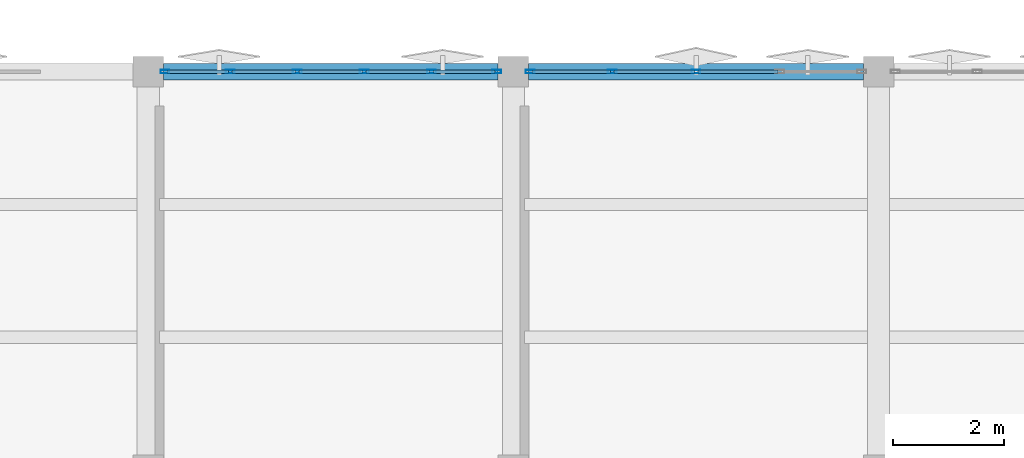
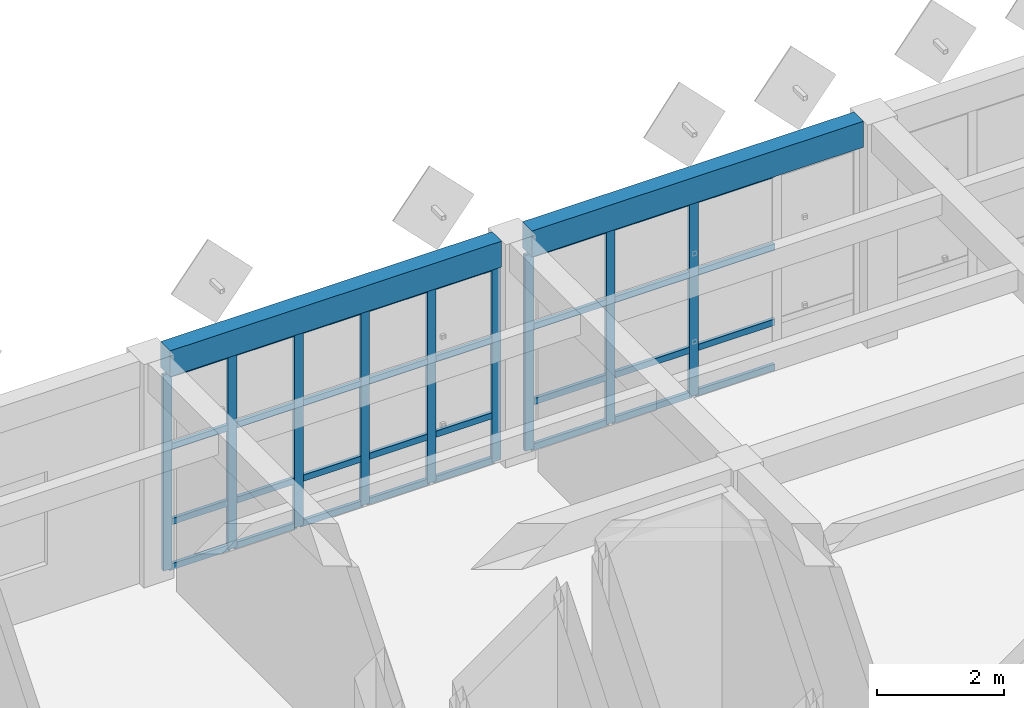
# One storey, part 12 of 29: 41 members, 2 beams, 2 elements without a shape of their own.
"""IFC4 building model written with IfcOpenShell, lengths in metres."""

from ifc_helpers import new_model, si_unit, direction, frame, origin, origin_2d, place, context, subcontext, project, spatial, rectangle, hollow_rectangle, extrude, material, layer, layer_set, material_profile, profile_set, type_object, element, aggregate, save


model = new_model("IFC4")

# Units and contexts
model_context = context("Model", 3, precision=1e-05, world=origin(), true_north=direction((0.0, 1.0)))
body_context = subcontext(model_context, "Body", "Model", "MODEL_VIEW")
ifc_project = project(units=[si_unit("LENGTHUNIT", "METRE"), si_unit("AREAUNIT", "SQUARE_METRE"), si_unit("VOLUMEUNIT", "CUBIC_METRE"), si_unit("PLANEANGLEUNIT", "RADIAN"), si_unit("MASSUNIT", "GRAM", prefix="KILO")], contexts=[model_context])

# Site, building, storey
site_placement = place(None, origin())
site = spatial("IfcSite", under=ifc_project, at=site_placement, CompositionType="ELEMENT")
building_placement = place(site_placement, origin())
building = spatial("IfcBuilding", under=site, at=building_placement, Name="Kharisveld Research Institute", CompositionType="ELEMENT")
storey_placement = place(building_placement, frame((0.0, 0.0, 32.10009765625)))
storey = spatial("IfcBuildingStorey", under=building, at=storey_placement, Name="L07", CompositionType="ELEMENT", Elevation=32.10009765625)

# Curtain wall, members
ifc_material_1 = material(Name="Thermally Broken Aluminium Curtain Wall", Category="aluminium")
ifc_layer_1 = layer(ifc_material_1, 0.159912109375)
ifc_layer_set_1 = layer_set([ifc_layer_1], Name="CW_SYS_01")
curtain_wall_type_1 = type_object("IfcCurtainWallType", Name="CW_SYS_01", PredefinedType="NOTDEFINED", material=ifc_layer_set_1)
curtain_wall_1_placement = place(storey_placement, origin())
curtain_wall_1 = element("IfcCurtainWall", 1, at=curtain_wall_1_placement, inside=storey, type_object=curtain_wall_type_1, Name="CW:V2:L07:N3", PredefinedType="NOTDEFINED")
ifc_material_2 = material(Name="Anodised Aluminium AW-6063-T6", Category="aluminium")
ifc_material_profile_1 = material_profile(ifc_material_2, hollow_rectangle(XDim=0.06494140625, YDim=0.159912109375, WallThickness=0.00390625, at=origin_2d()))
ifc_profile_set_1 = profile_set([ifc_material_profile_1], Name="Anodised Aluminium AW-6063-T6")
member_type_1 = type_object("IfcMemberType", Name="CW_MUL_160", PredefinedType="MULLION", material=ifc_profile_set_1)
member_1_placement = place(storey_placement, frame((134.702392578125, 60.800048828125, 0.0), z_axis=(0.0, 0.0, 1.0), x_axis=(0.0, 1.0, 0.0)))
member_1 = element("IfcMember", 2, at=member_1_placement, type_object=member_type_1, Name="CW-01 mullion 1", PredefinedType="MULLION", context=body_context, shape_type="SweptSolid", body=[
    extrude(hollow_rectangle(XDim=0.06494140625, YDim=0.159912109375, WallThickness=0.00390625, at=origin_2d()), origin(), (0.0, 0.0, 1.0), 3.77978515625),
])
member_2_placement = place(storey_placement, frame((135.882080078125, 60.800048828125, 0.0), z_axis=(0.0, 0.0, 1.0), x_axis=(0.0, 1.0, 0.0)))
member_2 = element("IfcMember", 3, at=member_2_placement, type_object=member_type_1, Name="CW-01 mullion 2", PredefinedType="MULLION", context=body_context, shape_type="SweptSolid", body=[
    extrude(hollow_rectangle(XDim=0.06494140625, YDim=0.159912109375, WallThickness=0.00390625, at=origin_2d()), origin(), (0.0, 0.0, 1.0), 3.77978515625),
])
member_3_placement = place(storey_placement, frame((137.093994140625, 60.800048828125, 0.0), z_axis=(0.0, 0.0, 1.0), x_axis=(0.0, 1.0, 0.0)))
member_3 = element("IfcMember", 4, at=member_3_placement, type_object=member_type_1, Name="CW-01 mullion 3", PredefinedType="MULLION", context=body_context, shape_type="SweptSolid", body=[
    extrude(hollow_rectangle(XDim=0.06494140625, YDim=0.159912109375, WallThickness=0.00390625, at=origin_2d()), origin(), (0.0, 0.0, 1.0), 3.77978515625),
])
member_4_placement = place(storey_placement, frame((138.305908203125, 60.800048828125, 0.0), z_axis=(0.0, 0.0, 1.0), x_axis=(0.0, 1.0, 0.0)))
member_4 = element("IfcMember", 5, at=member_4_placement, type_object=member_type_1, Name="CW-01 mullion 4", PredefinedType="MULLION", context=body_context, shape_type="SweptSolid", body=[
    extrude(hollow_rectangle(XDim=0.06494140625, YDim=0.159912109375, WallThickness=0.00390625, at=origin_2d()), origin(), (0.0, 0.0, 1.0), 3.77978515625),
])
member_5_placement = place(storey_placement, frame((139.51806640625, 60.800048828125, 0.0), z_axis=(0.0, 0.0, 1.0), x_axis=(0.0, 1.0, 0.0)))
member_5 = element("IfcMember", 6, at=member_5_placement, type_object=member_type_1, Name="CW-01 mullion 5", PredefinedType="MULLION", context=body_context, shape_type="SweptSolid", body=[
    extrude(hollow_rectangle(XDim=0.06494140625, YDim=0.159912109375, WallThickness=0.00390625, at=origin_2d()), origin(), (0.0, 0.0, 1.0), 3.77978515625),
])
member_6_placement = place(storey_placement, frame((140.697509765625, 60.800048828125, 0.0), z_axis=(0.0, 0.0, 1.0), x_axis=(0.0, 1.0, 0.0)))
member_6 = element("IfcMember", 7, at=member_6_placement, type_object=member_type_1, Name="CW-01 mullion 6", PredefinedType="MULLION", context=body_context, shape_type="SweptSolid", body=[
    extrude(hollow_rectangle(XDim=0.06494140625, YDim=0.159912109375, WallThickness=0.00390625, at=origin_2d()), origin(), (0.0, 0.0, 1.0), 3.77978515625),
])

ifc_material_3 = material(Name="Thermally Broken Aluminium Curtain Wall", Category="aluminium")
ifc_layer_2 = layer(ifc_material_3, 0.159912109375)
ifc_layer_set_2 = layer_set([ifc_layer_2], Name="CW_SYS_02")
curtain_wall_type_2 = type_object("IfcCurtainWallType", Name="CW_SYS_02", PredefinedType="NOTDEFINED", material=ifc_layer_set_2)
curtain_wall_2_placement = place(storey_placement, origin())
curtain_wall_2 = element("IfcCurtainWall", 8, at=curtain_wall_2_placement, inside=storey, type_object=curtain_wall_type_2, Name="CW:V2:L07:N4", PredefinedType="NOTDEFINED")
member_7_placement = place(storey_placement, frame((141.302490234375, 60.800048828125, 0.0), z_axis=(0.0, 0.0, 1.0), x_axis=(0.0, 1.0, 0.0)))
member_7 = element("IfcMember", 9, at=member_7_placement, type_object=member_type_1, Name="CW-02 mullion 1", PredefinedType="MULLION", context=body_context, shape_type="SweptSolid", body=[
    extrude(hollow_rectangle(XDim=0.06494140625, YDim=0.159912109375, WallThickness=0.00390625, at=origin_2d()), origin(), (0.0, 0.0, 1.0), 3.77978515625),
])
member_8_placement = place(storey_placement, frame((142.784912109375, 60.800048828125, 0.0), z_axis=(0.0, 0.0, 1.0), x_axis=(0.0, 1.0, 0.0)))
member_8 = element("IfcMember", 10, at=member_8_placement, type_object=member_type_1, Name="CW-02 mullion 2", PredefinedType="MULLION", context=body_context, shape_type="SweptSolid", body=[
    extrude(hollow_rectangle(XDim=0.06494140625, YDim=0.159912109375, WallThickness=0.00390625, at=origin_2d()), origin(), (0.0, 0.0, 1.0), 3.77978515625),
])
member_9_placement = place(storey_placement, frame((144.300048828125, 60.800048828125, 0.0), z_axis=(0.0, 0.0, 1.0), x_axis=(0.0, 1.0, 0.0)))
member_9 = element("IfcMember", 11, at=member_9_placement, type_object=member_type_1, Name="CW-02 mullion 3", PredefinedType="MULLION", context=body_context, shape_type="SweptSolid", body=[
    extrude(hollow_rectangle(XDim=0.06494140625, YDim=0.159912109375, WallThickness=0.00390625, at=origin_2d()), origin(), (0.0, 0.0, 1.0), 3.77978515625),
])

# Member
ifc_material_4 = material(Name="Anodised Aluminium AW-6063-T6", Category="aluminium")
ifc_material_profile_2 = material_profile(ifc_material_4, hollow_rectangle(XDim=0.06005859375, YDim=0.1201171875, WallThickness=0.00390625, at=origin_2d()))
ifc_profile_set_2 = profile_set([ifc_material_profile_2], Name="Anodised Aluminium AW-6063-T6")
member_type_2 = type_object("IfcMemberType", Name="CW_TRN_120", PredefinedType="USERDEFINED", material=ifc_profile_set_2)
member_10_placement = place(storey_placement, frame((134.735107421875, 60.800048828125, 0.02978515625), z_axis=(1.0, 0.0, 0.0), x_axis=(0.0, 1.0, 0.0)))
member_10 = element("IfcMember", 12, at=member_10_placement, type_object=member_type_2, Name="CW-01 transom 1.1", ObjectType="TRANSOM", PredefinedType="USERDEFINED", context=body_context, shape_type="SweptSolid", body=[
    extrude(hollow_rectangle(XDim=0.06005859375, YDim=0.1201171875, WallThickness=0.00390625, at=origin_2d()), origin(), (0.0, 0.0, 1.0), 1.114501953125),
])

member_11_placement = place(storey_placement, frame((134.735107421875, 60.800048828125, 0.89990234375), z_axis=(1.0, 0.0, 0.0), x_axis=(0.0, 1.0, 0.0)))
member_11 = element("IfcMember", 13, at=member_11_placement, type_object=member_type_2, Name="CW-01 transom 1.2", ObjectType="TRANSOM", PredefinedType="USERDEFINED", context=body_context, shape_type="SweptSolid", body=[
    extrude(hollow_rectangle(XDim=0.06005859375, YDim=0.1201171875, WallThickness=0.00390625, at=origin_2d()), origin(), (0.0, 0.0, 1.0), 1.114501953125),
])

member_12_placement = place(storey_placement, frame((134.735107421875, 60.800048828125, 2.349853515625), z_axis=(1.0, 0.0, 0.0), x_axis=(0.0, 1.0, 0.0)))
member_12 = element("IfcMember", 14, at=member_12_placement, type_object=member_type_2, Name="CW-01 transom 1.3", ObjectType="TRANSOM", PredefinedType="USERDEFINED", context=body_context, shape_type="SweptSolid", body=[
    extrude(hollow_rectangle(XDim=0.06005859375, YDim=0.1201171875, WallThickness=0.00390625, at=origin_2d()), origin(), (0.0, 0.0, 1.0), 1.114501953125),
])

member_13_placement = place(storey_placement, frame((134.735107421875, 60.800048828125, 3.75), z_axis=(1.0, 0.0, 0.0), x_axis=(0.0, 1.0, 0.0)))
member_13 = element("IfcMember", 15, at=member_13_placement, type_object=member_type_2, Name="CW-01 transom 1.4", ObjectType="TRANSOM", PredefinedType="USERDEFINED", context=body_context, shape_type="SweptSolid", body=[
    extrude(hollow_rectangle(XDim=0.06005859375, YDim=0.1201171875, WallThickness=0.00390625, at=origin_2d()), origin(), (0.0, 0.0, 1.0), 1.114501953125),
])

member_14_placement = place(storey_placement, frame((135.91455078125, 60.800048828125, 0.02978515625), z_axis=(1.0, 0.0, 0.0), x_axis=(0.0, 1.0, 0.0)))
member_14 = element("IfcMember", 16, at=member_14_placement, type_object=member_type_2, Name="CW-01 transom 2.1", ObjectType="TRANSOM", PredefinedType="USERDEFINED", context=body_context, shape_type="SweptSolid", body=[
    extrude(hollow_rectangle(XDim=0.06005859375, YDim=0.1201171875, WallThickness=0.00390625, at=origin_2d()), origin(), (0.0, 0.0, 1.0), 1.14697265625),
])

member_15_placement = place(storey_placement, frame((135.91455078125, 60.800048828125, 0.89990234375), z_axis=(1.0, 0.0, 0.0), x_axis=(0.0, 1.0, 0.0)))
member_15 = element("IfcMember", 17, at=member_15_placement, type_object=member_type_2, Name="CW-01 transom 2.2", ObjectType="TRANSOM", PredefinedType="USERDEFINED", context=body_context, shape_type="SweptSolid", body=[
    extrude(hollow_rectangle(XDim=0.06005859375, YDim=0.1201171875, WallThickness=0.00390625, at=origin_2d()), origin(), (0.0, 0.0, 1.0), 1.14697265625),
])

member_16_placement = place(storey_placement, frame((135.91455078125, 60.800048828125, 2.349853515625), z_axis=(1.0, 0.0, 0.0), x_axis=(0.0, 1.0, 0.0)))
member_16 = element("IfcMember", 18, at=member_16_placement, type_object=member_type_2, Name="CW-01 transom 2.3", ObjectType="TRANSOM", PredefinedType="USERDEFINED", context=body_context, shape_type="SweptSolid", body=[
    extrude(hollow_rectangle(XDim=0.06005859375, YDim=0.1201171875, WallThickness=0.00390625, at=origin_2d()), origin(), (0.0, 0.0, 1.0), 1.14697265625),
])

member_17_placement = place(storey_placement, frame((135.91455078125, 60.800048828125, 3.75), z_axis=(1.0, 0.0, 0.0), x_axis=(0.0, 1.0, 0.0)))
member_17 = element("IfcMember", 19, at=member_17_placement, type_object=member_type_2, Name="CW-01 transom 2.4", ObjectType="TRANSOM", PredefinedType="USERDEFINED", context=body_context, shape_type="SweptSolid", body=[
    extrude(hollow_rectangle(XDim=0.06005859375, YDim=0.1201171875, WallThickness=0.00390625, at=origin_2d()), origin(), (0.0, 0.0, 1.0), 1.14697265625),
])

member_18_placement = place(storey_placement, frame((137.12646484375, 60.800048828125, 0.02978515625), z_axis=(1.0, 0.0, 0.0), x_axis=(0.0, 1.0, 0.0)))
member_18 = element("IfcMember", 20, at=member_18_placement, type_object=member_type_2, Name="CW-01 transom 3.1", ObjectType="TRANSOM", PredefinedType="USERDEFINED", context=body_context, shape_type="SweptSolid", body=[
    extrude(hollow_rectangle(XDim=0.06005859375, YDim=0.1201171875, WallThickness=0.00390625, at=origin_2d()), origin(), (0.0, 0.0, 1.0), 1.14697265625),
])

member_19_placement = place(storey_placement, frame((137.12646484375, 60.800048828125, 0.89990234375), z_axis=(1.0, 0.0, 0.0), x_axis=(0.0, 1.0, 0.0)))
member_19 = element("IfcMember", 21, at=member_19_placement, type_object=member_type_2, Name="CW-01 transom 3.2", ObjectType="TRANSOM", PredefinedType="USERDEFINED", context=body_context, shape_type="SweptSolid", body=[
    extrude(hollow_rectangle(XDim=0.06005859375, YDim=0.1201171875, WallThickness=0.00390625, at=origin_2d()), origin(), (0.0, 0.0, 1.0), 1.14697265625),
])

member_20_placement = place(storey_placement, frame((137.12646484375, 60.800048828125, 2.349853515625), z_axis=(1.0, 0.0, 0.0), x_axis=(0.0, 1.0, 0.0)))
member_20 = element("IfcMember", 22, at=member_20_placement, type_object=member_type_2, Name="CW-01 transom 3.3", ObjectType="TRANSOM", PredefinedType="USERDEFINED", context=body_context, shape_type="SweptSolid", body=[
    extrude(hollow_rectangle(XDim=0.06005859375, YDim=0.1201171875, WallThickness=0.00390625, at=origin_2d()), origin(), (0.0, 0.0, 1.0), 1.14697265625),
])

member_21_placement = place(storey_placement, frame((137.12646484375, 60.800048828125, 3.75), z_axis=(1.0, 0.0, 0.0), x_axis=(0.0, 1.0, 0.0)))
member_21 = element("IfcMember", 23, at=member_21_placement, type_object=member_type_2, Name="CW-01 transom 3.4", ObjectType="TRANSOM", PredefinedType="USERDEFINED", context=body_context, shape_type="SweptSolid", body=[
    extrude(hollow_rectangle(XDim=0.06005859375, YDim=0.1201171875, WallThickness=0.00390625, at=origin_2d()), origin(), (0.0, 0.0, 1.0), 1.14697265625),
])

member_22_placement = place(storey_placement, frame((138.33837890625, 60.800048828125, 0.02978515625), z_axis=(1.0, 0.0, 0.0), x_axis=(0.0, 1.0, 0.0)))
member_22 = element("IfcMember", 24, at=member_22_placement, type_object=member_type_2, Name="CW-01 transom 4.1", ObjectType="TRANSOM", PredefinedType="USERDEFINED", context=body_context, shape_type="SweptSolid", body=[
    extrude(hollow_rectangle(XDim=0.06005859375, YDim=0.1201171875, WallThickness=0.00390625, at=origin_2d()), origin(), (0.0, 0.0, 1.0), 1.147216796875),
])

member_23_placement = place(storey_placement, frame((138.33837890625, 60.800048828125, 0.89990234375), z_axis=(1.0, 0.0, 0.0), x_axis=(0.0, 1.0, 0.0)))
member_23 = element("IfcMember", 25, at=member_23_placement, type_object=member_type_2, Name="CW-01 transom 4.2", ObjectType="TRANSOM", PredefinedType="USERDEFINED", context=body_context, shape_type="SweptSolid", body=[
    extrude(hollow_rectangle(XDim=0.06005859375, YDim=0.1201171875, WallThickness=0.00390625, at=origin_2d()), origin(), (0.0, 0.0, 1.0), 1.147216796875),
])

member_24_placement = place(storey_placement, frame((138.33837890625, 60.800048828125, 2.349853515625), z_axis=(1.0, 0.0, 0.0), x_axis=(0.0, 1.0, 0.0)))
member_24 = element("IfcMember", 26, at=member_24_placement, type_object=member_type_2, Name="CW-01 transom 4.3", ObjectType="TRANSOM", PredefinedType="USERDEFINED", context=body_context, shape_type="SweptSolid", body=[
    extrude(hollow_rectangle(XDim=0.06005859375, YDim=0.1201171875, WallThickness=0.00390625, at=origin_2d()), origin(), (0.0, 0.0, 1.0), 1.147216796875),
])

member_25_placement = place(storey_placement, frame((138.33837890625, 60.800048828125, 3.75), z_axis=(1.0, 0.0, 0.0), x_axis=(0.0, 1.0, 0.0)))
member_25 = element("IfcMember", 27, at=member_25_placement, type_object=member_type_2, Name="CW-01 transom 4.4", ObjectType="TRANSOM", PredefinedType="USERDEFINED", context=body_context, shape_type="SweptSolid", body=[
    extrude(hollow_rectangle(XDim=0.06005859375, YDim=0.1201171875, WallThickness=0.00390625, at=origin_2d()), origin(), (0.0, 0.0, 1.0), 1.147216796875),
])

member_26_placement = place(storey_placement, frame((139.550537109375, 60.800048828125, 0.02978515625), z_axis=(1.0, 0.0, 0.0), x_axis=(0.0, 1.0, 0.0)))
member_26 = element("IfcMember", 28, at=member_26_placement, type_object=member_type_2, Name="CW-01 transom 5.1", ObjectType="TRANSOM", PredefinedType="USERDEFINED", context=body_context, shape_type="SweptSolid", body=[
    extrude(hollow_rectangle(XDim=0.06005859375, YDim=0.1201171875, WallThickness=0.00390625, at=origin_2d()), origin(), (0.0, 0.0, 1.0), 1.114501953125),
])

member_27_placement = place(storey_placement, frame((139.550537109375, 60.800048828125, 0.89990234375), z_axis=(1.0, 0.0, 0.0), x_axis=(0.0, 1.0, 0.0)))
member_27 = element("IfcMember", 29, at=member_27_placement, type_object=member_type_2, Name="CW-01 transom 5.2", ObjectType="TRANSOM", PredefinedType="USERDEFINED", context=body_context, shape_type="SweptSolid", body=[
    extrude(hollow_rectangle(XDim=0.06005859375, YDim=0.1201171875, WallThickness=0.00390625, at=origin_2d()), origin(), (0.0, 0.0, 1.0), 1.114501953125),
])

member_28_placement = place(storey_placement, frame((139.550537109375, 60.800048828125, 2.349853515625), z_axis=(1.0, 0.0, 0.0), x_axis=(0.0, 1.0, 0.0)))
member_28 = element("IfcMember", 30, at=member_28_placement, type_object=member_type_2, Name="CW-01 transom 5.3", ObjectType="TRANSOM", PredefinedType="USERDEFINED", context=body_context, shape_type="SweptSolid", body=[
    extrude(hollow_rectangle(XDim=0.06005859375, YDim=0.1201171875, WallThickness=0.00390625, at=origin_2d()), origin(), (0.0, 0.0, 1.0), 1.114501953125),
])

member_29_placement = place(storey_placement, frame((139.550537109375, 60.800048828125, 3.75), z_axis=(1.0, 0.0, 0.0), x_axis=(0.0, 1.0, 0.0)))
member_29 = element("IfcMember", 31, at=member_29_placement, type_object=member_type_2, Name="CW-01 transom 5.4", ObjectType="TRANSOM", PredefinedType="USERDEFINED", context=body_context, shape_type="SweptSolid", body=[
    extrude(hollow_rectangle(XDim=0.06005859375, YDim=0.1201171875, WallThickness=0.00390625, at=origin_2d()), origin(), (0.0, 0.0, 1.0), 1.114501953125),
])

aggregate(curtain_wall_1, [member_1, member_2, member_3, member_4, member_5, member_6, member_10, member_11, member_12, member_13, member_14, member_15, member_16, member_17, member_18, member_19, member_20, member_21, member_22, member_23, member_24, member_25, member_26, member_27, member_28, member_29])

member_30_placement = place(storey_placement, frame((141.3349609375, 60.800048828125, 0.02978515625), z_axis=(1.0, 0.0, 0.0), x_axis=(0.0, 1.0, 0.0)))
member_30 = element("IfcMember", 32, at=member_30_placement, type_object=member_type_2, Name="CW-02 transom 1.1", ObjectType="TRANSOM", PredefinedType="USERDEFINED", context=body_context, shape_type="SweptSolid", body=[
    extrude(hollow_rectangle(XDim=0.06005859375, YDim=0.1201171875, WallThickness=0.00390625, at=origin_2d()), origin(), (0.0, 0.0, 1.0), 1.41748046875),
])

member_31_placement = place(storey_placement, frame((141.3349609375, 60.800048828125, 0.89990234375), z_axis=(1.0, 0.0, 0.0), x_axis=(0.0, 1.0, 0.0)))
member_31 = element("IfcMember", 33, at=member_31_placement, type_object=member_type_2, Name="CW-02 transom 1.2", ObjectType="TRANSOM", PredefinedType="USERDEFINED", context=body_context, shape_type="SweptSolid", body=[
    extrude(hollow_rectangle(XDim=0.06005859375, YDim=0.1201171875, WallThickness=0.00390625, at=origin_2d()), origin(), (0.0, 0.0, 1.0), 1.41748046875),
])

member_32_placement = place(storey_placement, frame((141.3349609375, 60.800048828125, 2.349853515625), z_axis=(1.0, 0.0, 0.0), x_axis=(0.0, 1.0, 0.0)))
member_32 = element("IfcMember", 34, at=member_32_placement, type_object=member_type_2, Name="CW-02 transom 1.3", ObjectType="TRANSOM", PredefinedType="USERDEFINED", context=body_context, shape_type="SweptSolid", body=[
    extrude(hollow_rectangle(XDim=0.06005859375, YDim=0.1201171875, WallThickness=0.00390625, at=origin_2d()), origin(), (0.0, 0.0, 1.0), 1.41748046875),
])

member_33_placement = place(storey_placement, frame((141.3349609375, 60.800048828125, 3.75), z_axis=(1.0, 0.0, 0.0), x_axis=(0.0, 1.0, 0.0)))
member_33 = element("IfcMember", 35, at=member_33_placement, type_object=member_type_2, Name="CW-02 transom 1.4", ObjectType="TRANSOM", PredefinedType="USERDEFINED", context=body_context, shape_type="SweptSolid", body=[
    extrude(hollow_rectangle(XDim=0.06005859375, YDim=0.1201171875, WallThickness=0.00390625, at=origin_2d()), origin(), (0.0, 0.0, 1.0), 1.41748046875),
])

member_34_placement = place(storey_placement, frame((142.8173828125, 60.800048828125, 0.02978515625), z_axis=(1.0, 0.0, 0.0), x_axis=(0.0, 1.0, 0.0)))
member_34 = element("IfcMember", 36, at=member_34_placement, type_object=member_type_2, Name="CW-02 transom 2.1", ObjectType="TRANSOM", PredefinedType="USERDEFINED", context=body_context, shape_type="SweptSolid", body=[
    extrude(hollow_rectangle(XDim=0.06005859375, YDim=0.1201171875, WallThickness=0.00390625, at=origin_2d()), origin(), (0.0, 0.0, 1.0), 1.4501953125),
])

member_35_placement = place(storey_placement, frame((142.8173828125, 60.800048828125, 0.89990234375), z_axis=(1.0, 0.0, 0.0), x_axis=(0.0, 1.0, 0.0)))
member_35 = element("IfcMember", 37, at=member_35_placement, type_object=member_type_2, Name="CW-02 transom 2.2", ObjectType="TRANSOM", PredefinedType="USERDEFINED", context=body_context, shape_type="SweptSolid", body=[
    extrude(hollow_rectangle(XDim=0.06005859375, YDim=0.1201171875, WallThickness=0.00390625, at=origin_2d()), origin(), (0.0, 0.0, 1.0), 1.4501953125),
])

member_36_placement = place(storey_placement, frame((142.8173828125, 60.800048828125, 2.349853515625), z_axis=(1.0, 0.0, 0.0), x_axis=(0.0, 1.0, 0.0)))
member_36 = element("IfcMember", 38, at=member_36_placement, type_object=member_type_2, Name="CW-02 transom 2.3", ObjectType="TRANSOM", PredefinedType="USERDEFINED", context=body_context, shape_type="SweptSolid", body=[
    extrude(hollow_rectangle(XDim=0.06005859375, YDim=0.1201171875, WallThickness=0.00390625, at=origin_2d()), origin(), (0.0, 0.0, 1.0), 1.4501953125),
])

member_37_placement = place(storey_placement, frame((142.8173828125, 60.800048828125, 3.75), z_axis=(1.0, 0.0, 0.0), x_axis=(0.0, 1.0, 0.0)))
member_37 = element("IfcMember", 39, at=member_37_placement, type_object=member_type_2, Name="CW-02 transom 2.4", ObjectType="TRANSOM", PredefinedType="USERDEFINED", context=body_context, shape_type="SweptSolid", body=[
    extrude(hollow_rectangle(XDim=0.06005859375, YDim=0.1201171875, WallThickness=0.00390625, at=origin_2d()), origin(), (0.0, 0.0, 1.0), 1.4501953125),
])

member_38_placement = place(storey_placement, frame((144.33251953125, 60.800048828125, 0.02978515625), z_axis=(1.0, 0.0, 0.0), x_axis=(0.0, 1.0, 0.0)))
member_38 = element("IfcMember", 40, at=member_38_placement, type_object=member_type_2, Name="CW-02 transom 3.1", ObjectType="TRANSOM", PredefinedType="USERDEFINED", context=body_context, shape_type="SweptSolid", body=[
    extrude(hollow_rectangle(XDim=0.06005859375, YDim=0.1201171875, WallThickness=0.00390625, at=origin_2d()), origin(), (0.0, 0.0, 1.0), 1.449951171875),
])

member_39_placement = place(storey_placement, frame((144.33251953125, 60.800048828125, 0.89990234375), z_axis=(1.0, 0.0, 0.0), x_axis=(0.0, 1.0, 0.0)))
member_39 = element("IfcMember", 41, at=member_39_placement, type_object=member_type_2, Name="CW-02 transom 3.2", ObjectType="TRANSOM", PredefinedType="USERDEFINED", context=body_context, shape_type="SweptSolid", body=[
    extrude(hollow_rectangle(XDim=0.06005859375, YDim=0.1201171875, WallThickness=0.00390625, at=origin_2d()), origin(), (0.0, 0.0, 1.0), 1.449951171875),
])

member_40_placement = place(storey_placement, frame((144.33251953125, 60.800048828125, 2.349853515625), z_axis=(1.0, 0.0, 0.0), x_axis=(0.0, 1.0, 0.0)))
member_40 = element("IfcMember", 42, at=member_40_placement, type_object=member_type_2, Name="CW-02 transom 3.3", ObjectType="TRANSOM", PredefinedType="USERDEFINED", context=body_context, shape_type="SweptSolid", body=[
    extrude(hollow_rectangle(XDim=0.06005859375, YDim=0.1201171875, WallThickness=0.00390625, at=origin_2d()), origin(), (0.0, 0.0, 1.0), 1.449951171875),
])

member_41_placement = place(storey_placement, frame((144.33251953125, 60.800048828125, 3.75), z_axis=(1.0, 0.0, 0.0), x_axis=(0.0, 1.0, 0.0)))
member_41 = element("IfcMember", 43, at=member_41_placement, type_object=member_type_2, Name="CW-02 transom 3.4", ObjectType="TRANSOM", PredefinedType="USERDEFINED", context=body_context, shape_type="SweptSolid", body=[
    extrude(hollow_rectangle(XDim=0.06005859375, YDim=0.1201171875, WallThickness=0.00390625, at=origin_2d()), origin(), (0.0, 0.0, 1.0), 1.449951171875),
])

aggregate(curtain_wall_2, [member_7, member_8, member_9, member_30, member_31, member_32, member_33, member_34, member_35, member_36, member_37, member_38, member_39, member_40, member_41])

# Beams
ifc_material_5 = material(Name="Concrete C40/50", Category="concrete")
ifc_material_profile_3 = material_profile(ifc_material_5, rectangle(XDim=0.300048828125, YDim=0.5, at=origin_2d()))
ifc_profile_set_3 = profile_set([ifc_material_profile_3], Name="Concrete C40/50")
beam_type = type_object("IfcBeamType", Name="SP_RC_300x500", PredefinedType="SPANDREL", material=ifc_profile_set_3)
for number, where, z_axis, x_axis, name in (
    (44, (134.675048828125, 60.800048828125, 4.054931640625), (1.0, 0.0, 0.0), (0.0, 1.0, 0.0), "BM:V2:L07:U3_3"),
    (45, (141.27490234375, 60.800048828125, 4.054931640625), (1.0, 0.0, 0.0), (0.0, 1.0, 0.0), "BM:V2:L07:U4_3"),
):
    element("IfcBeam", number, at=place(storey_placement, frame(where, z_axis=z_axis, x_axis=x_axis)), inside=storey, type_object=beam_type, Name=name, PredefinedType="SPANDREL", context=body_context, shape_type="SweptSolid", body=[
        extrude(rectangle(XDim=0.300048828125, YDim=0.5, at=origin_2d()), origin(), (0.0, 0.0, 1.0), 6.050048828125),
    ])

save(model, "model.ifc")
